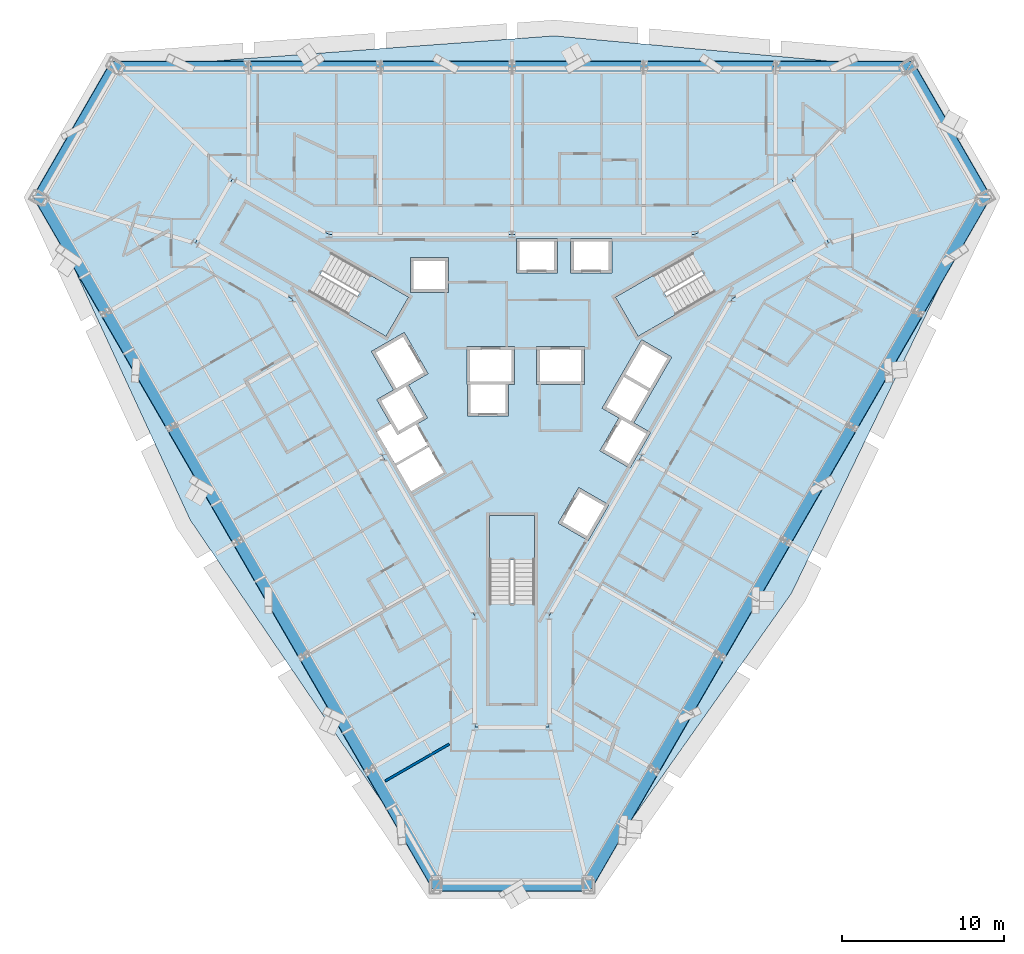
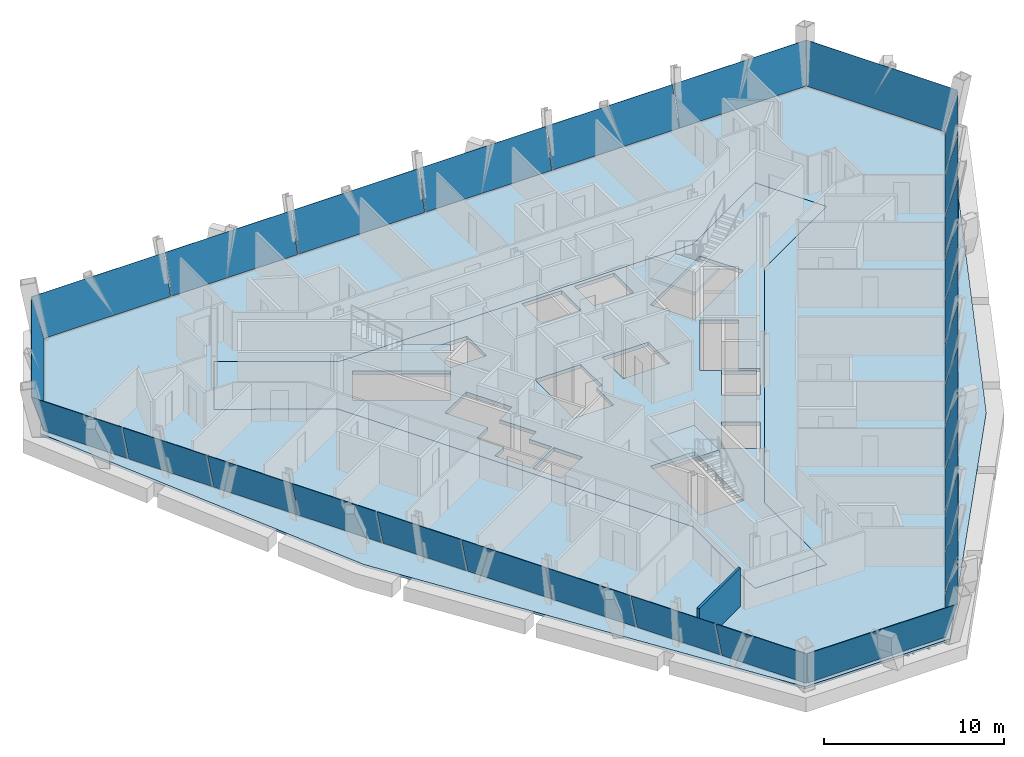
# One storey, part 7 of 14: 30 plates, 5 slabs, 1 wall, 9 elements without a shape of their own.
"""IFC4 building model written with IfcOpenShell, lengths in metres."""

from ifc_helpers import new_model, si_unit, direction, frame, frame_2d, origin, place, context, subcontext, project, spatial, polyline, rectangle, outline, extrude, material, layer, layer_set, type_object, element, aggregate, save


model = new_model("IFC4")

# Units and contexts
model_context = context("Model", 3, precision=1e-05, world=origin(), true_north=direction((0.0, 1.0)))
body_context = subcontext(model_context, "Body", "Model", "MODEL_VIEW")
ifc_project = project(units=[si_unit("LENGTHUNIT", "METRE"), si_unit("AREAUNIT", "SQUARE_METRE"), si_unit("VOLUMEUNIT", "CUBIC_METRE"), si_unit("PLANEANGLEUNIT", "RADIAN"), si_unit("MASSUNIT", "GRAM", prefix="KILO")], contexts=[model_context])

# Site, building, storey
site_placement = place(None, origin())
site = spatial("IfcSite", under=ifc_project, at=site_placement, CompositionType="ELEMENT")
building_placement = place(site_placement, origin())
building = spatial("IfcBuilding", under=site, at=building_placement, Name="Verrane Prism Tower", CompositionType="ELEMENT")
storey_placement = place(building_placement, frame((0.0, 0.0, 128.800048828125)))
storey = spatial("IfcBuildingStorey", under=building, at=storey_placement, Name="L31", CompositionType="ELEMENT", Elevation=128.800048828125)

# Slabs
ifc_material_1 = material(Name="Concrete C35/45", Category="concrete")
ifc_layer_1 = layer(ifc_material_1, 0.159912109375)
ifc_layer_set_1 = layer_set([ifc_layer_1], Name="Composite floor slab")
slab_type_1 = type_object("IfcSlabType", Name="Composite floor slab", PredefinedType="FLOOR", material=ifc_layer_set_1)
slab_1_placement = place(storey_placement, frame((0.0, 0.0, -0.16015625)))
element("IfcSlab", 1, at=slab_1_placement, inside=storey, type_object=slab_type_1, Name="Floor slab L31", PredefinedType="FLOOR", context=body_context, shape_type="SweptSolid", body=[
    extrude(outline(polyline([(17.3056640625, -13.005615234375), (4.64306640625, -30.93798828125), (-4.64306640625, -30.93798828125), (-19.916015625, -8.484375), (-29.11474609375, 11.447998046875), (-24.4716796875, 19.489990234375), (2.6103515625, 21.489990234375), (24.4716796875, 19.489990234375), (29.11474609375, 11.447998046875), (17.3056640625, -13.005615234375)]), holes=[polyline([(19.60009765625, 8.659912109375), (17.300048828125, 12.639892578125), (11.330078125, 9.199951171875), (0.0, 9.199951171875), (-11.330078125, 9.199951171875), (-17.300048828125, 12.639892578125), (-19.60009765625, 8.659912109375), (-13.6298828125, 5.219970703125), (-7.969970703125, -4.60009765625), (-2.300048828125, -14.419921875), (-2.300048828125, -21.300048828125), (2.300048828125, -21.300048828125), (2.300048828125, -14.419921875), (7.969970703125, -4.60009765625), (13.6298828125, 5.219970703125), (19.60009765625, 8.659912109375)])]), origin(), (0.0, 0.0, 1.0), 0.16015625),
])
ifc_material_2 = material(Name="Concrete C40/50", Category="concrete")
ifc_layer_2 = layer(ifc_material_2, 0.25)
ifc_layer_set_2 = layer_set([ifc_layer_2], Name="Core floor slab 250 concrete C40/50")
slab_type_2 = type_object("IfcSlabType", Name="Core floor slab 250 concrete C40/50", PredefinedType="FLOOR", material=ifc_layer_set_2)
slab_2_placement = place(storey_placement, frame((0.0, 0.0, -0.25)))
element("IfcSlab", 2, at=slab_2_placement, inside=storey, type_object=slab_type_2, Name="Core floor L31", PredefinedType="FLOOR", context=body_context, shape_type="SweptSolid", body=[
    extrude(outline(polyline([(13.6298828125, 5.219970703125), (19.60009765625, 8.659912109375), (17.300048828125, 12.639892578125), (11.330078125, 9.199951171875), (0.0, 9.199951171875), (-11.330078125, 9.199951171875), (-17.300048828125, 12.639892578125), (-19.60009765625, 8.659912109375), (-13.6298828125, 5.219970703125), (-7.969970703125, -4.60009765625), (-2.300048828125, -14.419921875), (-2.300048828125, -21.300048828125), (2.300048828125, -21.300048828125), (2.300048828125, -14.419921875), (7.969970703125, -4.60009765625), (13.6298828125, 5.219970703125)]), holes=[polyline([(1.39990234375, -8.199951171875), (1.39990234375, -13.639892578125), (-1.39990234375, -13.639892578125), (-1.39990234375, -8.199951171875), (1.39990234375, -8.199951171875)]), polyline([(-4.23095703125, -5.54296875), (-6.243896484375, -6.705078125), (-7.158935546875, -5.12109375), (-5.14599609375, -3.95703125), (-4.23095703125, -5.54296875)]), polyline([(0.1650390625, 2.25), (0.1650390625, -0.10009765625), (-0.205078125, -0.10009765625), (-0.205078125, -2.050048828125), (-2.7548828125, -2.050048828125), (-2.7548828125, -0.10009765625), (-2.784912109375, -0.10009765625), (-2.784912109375, 2.25), (0.1650390625, 2.25)]), polyline([(-12.512939453125, 5.60791015625), (-11.113037109375, 8.031982421875), (-6.40087890625, 5.31201171875), (-7.801025390625, 2.887939453125), (-12.512939453125, 5.60791015625)]), polyline([(-6.284912109375, 5.610107421875), (-6.284912109375, 7.760009765625), (-3.93505859375, 7.760009765625), (-3.93505859375, 5.610107421875), (-6.284912109375, 5.610107421875)]), polyline([(4.717041015625, -9.75), (2.85498046875, -8.675048828125), (4.1298828125, -6.466064453125), (5.991943359375, -7.541015625), (4.717041015625, -9.75)]), polyline([(8.303955078125, -3.136962890625), (5.575927734375, -1.56201171875), (8.02587890625, 2.680908203125), (9.887939453125, 1.60595703125), (7.5380859375, -2.464111328125), (8.576904296875, -3.06396484375), (7.302001953125, -5.27197265625), (5.43994140625, -4.197021484375), (6.614990234375, -2.162109375), (8.303955078125, -3.136962890625)]), polyline([(1.52490234375, -0.10009765625), (1.52490234375, 2.25), (4.47509765625, 2.25), (4.47509765625, -0.10009765625), (1.52490234375, -0.10009765625)]), polyline([(6.40087890625, 5.31201171875), (11.113037109375, 8.031982421875), (12.512939453125, 5.60791015625), (7.801025390625, 2.887939453125), (6.40087890625, 5.31201171875)]), polyline([(0.264892578125, 6.81005859375), (0.264892578125, 8.9599609375), (2.81494140625, 8.9599609375), (2.81494140625, 6.81005859375), (0.264892578125, 6.81005859375)]), polyline([(3.625, 6.81005859375), (3.625, 8.9599609375), (6.175048828125, 8.9599609375), (6.175048828125, 6.81005859375), (3.625, 6.81005859375)]), polyline([(-5.23095703125, -2.159912109375), (-5.945068359375, -2.572265625), (-5.220947265625, -3.826904296875), (-7.23291015625, -4.990966796875), (-8.368896484375, -3.02392578125), (-7.502685546875, -2.525146484375), (-8.367919921875, -1.02587890625), (-7.3291015625, -0.426025390625), (-8.7041015625, 1.955078125), (-6.66796875, 3.1298828125), (-5.193115234375, 0.574951171875), (-6.406005859375, -0.125), (-5.23095703125, -2.159912109375)])]), origin(), (0.0, 0.0, 1.0), 0.25),
])

# Curtain wall, plates
ifc_material_3 = material(Name="Aluminium framed insulated glazing", Category="aluminium")
curtain_wall_type_1 = type_object("IfcCurtainWallType", Name="Curtain wall CW-C 4200 module", PredefinedType="NOTDEFINED", material=ifc_material_3)
curtain_wall_1_placement = place(storey_placement, origin())
curtain_wall_1 = element("IfcCurtainWall", 3, at=curtain_wall_1_placement, inside=storey, type_object=curtain_wall_type_1, Name="Glazed curtain wall south-east face L31", PredefinedType="NOTDEFINED")
ifc_material_4 = material(Name="Low-iron insulating glass unit", Category="glass")
ifc_layer_3 = layer(ifc_material_4, 0.02392578125)
ifc_layer_set_3 = layer_set([ifc_layer_3], Name="Glazing panel IGU 24")
plate_type_1 = type_object("IfcPlateType", Name="Glazing panel IGU 24", PredefinedType="CURTAIN_PANEL", material=ifc_layer_set_3)
plate_1_placement = place(storey_placement, frame((4.462890625, -30.69189453125, 0.050048828125), z_axis=(-0.835435155907, 0.482307018459, 0.263492011681), x_axis=(0.499976671049, 0.866038872324, 5.547598e-06)))
plate_1 = element("IfcPlate", 4, at=plate_1_placement, type_object=plate_type_1, Name="CW29.6 panel 1", PredefinedType="CURTAIN_PANEL", context=body_context, shape_type="SweptSolid", body=[
    extrude(outline(polyline([(0.0, 0.0), (3.991256753788024, 0.0), (3.9913706706116843, -2.6566021255444077), (-0.4294082353427543, -2.6566505016718382), (0.0, 0.0)])), origin(), (0.0, 0.0, -1.0), 0.02392578125),
])
plate_2_placement = place(storey_placement, frame((6.483642578125, -27.19189453125, 0.050048828125), z_axis=(-0.835406075888, 0.482350697006, 0.26350425702), x_axis=(0.500022371132, 0.86601248742, 0.0)))
plate_2 = element("IfcPlate", 5, at=plate_2_placement, type_object=plate_type_1, Name="CW29.6 panel 2", PredefinedType="CURTAIN_PANEL", context=body_context, shape_type="SweptSolid", body=[
    extrude(outline(polyline([(0.0, 0.0), (4.016421858692838, -5.551115123125783e-17), (4.0163470639077685, -2.6566342906783156), (-7.479478506916548e-05, -2.6566342906783156), (0.0, 0.0)])), origin(), (0.0, 0.0, -1.0), 0.02392578125),
])
plate_3_placement = place(storey_placement, frame((10.550048828125, -20.148681640625, 0.050048828125), z_axis=(-0.835406075888, 0.482350697006, 0.26350425702), x_axis=(0.500022371132, 0.86601248742, 0.0)))
plate_3 = element("IfcPlate", 6, at=plate_3_placement, type_object=plate_type_1, Name="CW29.6 panel 4", PredefinedType="CURTAIN_PANEL", context=body_context, shape_type="SweptSolid", body=[
    extrude(outline(polyline([(0.0, 0.0), (4.016421858692838, -5.551115123125783e-17), (4.0163470639077685, -2.6566342906783156), (-7.479478506916548e-05, -2.6566342906783156), (0.0, 0.0)])), origin(), (0.0, 0.0, -1.0), 0.02392578125),
])
plate_4_placement = place(storey_placement, frame((12.583251953125, -16.627197265625, 0.050048828125), z_axis=(-0.835418463457, 0.482340921593, 0.263482876619), x_axis=(0.50000829695, 0.866020613477, -3.862374e-06)))
plate_4 = element("IfcPlate", 7, at=plate_4_placement, type_object=plate_type_1, Name="CW29.6 panel 5", PredefinedType="CURTAIN_PANEL", context=body_context, shape_type="SweptSolid", body=[
    extrude(outline(polyline([(0.0, 0.0), (4.016633288946316, 1.6653345369377348e-16), (4.016537219184474, -2.6566342893416737), (0.00011536105199417151, -2.656602126158638), (0.0, 0.0)])), origin(), (0.0, 0.0, -1.0), 0.02392578125),
])
plate_5_placement = place(storey_placement, frame((14.616455078125, -13.10546875, 0.050048828125), z_axis=(-0.835418463457, 0.482340921593, 0.263482876619), x_axis=(0.500010124208, 0.866019558482, 3.862578e-06)))
plate_5 = element("IfcPlate", 8, at=plate_5_placement, type_object=plate_type_1, Name="CW29.6 panel 6", PredefinedType="CURTAIN_PANEL", context=body_context, shape_type="SweptSolid", body=[
    extrude(outline(polyline([(0.0, 0.0), (4.01642185826126, -5.551115123125783e-17), (4.016558493169297, -2.6566021251496568), (-7.479564823267537e-05, -2.656634290025812), (0.0, 0.0)])), origin(), (0.0, 0.0, -1.0), 0.02392578125),
])
plate_6_placement = place(storey_placement, frame((16.649658203125, -9.583740234375, 0.050048828125), z_axis=(-0.835406075888, 0.482350697006, 0.26350425702), x_axis=(0.500022371132, 0.86601248742, 0.0)))
plate_6 = element("IfcPlate", 9, at=plate_6_placement, type_object=plate_type_1, Name="CW29.6 panel 7", PredefinedType="CURTAIN_PANEL", context=body_context, shape_type="SweptSolid", body=[
    extrude(outline(polyline([(0.0, 0.0), (4.016421858692838, -5.551115123125783e-17), (4.0163470639077685, -2.6566342906783156), (-7.479478506916548e-05, -2.6566342906783156), (0.0, 0.0)])), origin(), (0.0, 0.0, -1.0), 0.02392578125),
])
plate_7_placement = place(storey_placement, frame((18.682861328125, -6.062255859375, 0.050048828125), z_axis=(-0.835416190587, 0.482356537079, 0.263461495557), x_axis=(0.500022371132, 0.86601248742, 0.0)))
plate_7 = element("IfcPlate", 10, at=plate_7_placement, type_object=plate_type_1, Name="CW29.6 panel 8", PredefinedType="CURTAIN_PANEL", context=body_context, shape_type="SweptSolid", body=[
    extrude(outline(polyline([(0.0, 0.0), (4.016421858692838, 5.551115123125783e-17), (4.016558492737705, -2.656602125802188), (0.00013663404486731893, -2.656602125802188), (0.0, 0.0)])), origin(), (0.0, 0.0, -1.0), 0.02392578125),
])
plate_8_placement = place(storey_placement, frame((20.716064453125, -2.54052734375, 0.050048828125), z_axis=(-0.835406075888, 0.482350697006, 0.26350425702), x_axis=(0.500022371132, 0.86601248742, 0.0)))
plate_8 = element("IfcPlate", 11, at=plate_8_placement, type_object=plate_type_1, Name="CW29.6 panel 9", PredefinedType="CURTAIN_PANEL", context=body_context, shape_type="SweptSolid", body=[
    extrude(outline(polyline([(0.0, 0.0), (4.016421858692838, -5.551115123125783e-17), (4.0163470639077685, -2.6566342906783156), (-7.479478506916548e-05, -2.6566342906783156), (0.0, 0.0)])), origin(), (0.0, 0.0, -1.0), 0.02392578125),
])
plate_9_placement = place(storey_placement, frame((24.782470703125, 4.502685546875, 0.050048828125), z_axis=(-0.835418463457, 0.482340921593, 0.263482876619), x_axis=(0.500010124208, 0.866019558482, 3.862578e-06)))
plate_9 = element("IfcPlate", 12, at=plate_9_placement, type_object=plate_type_1, Name="CW29.6 panel 11", PredefinedType="CURTAIN_PANEL", context=body_context, shape_type="SweptSolid", body=[
    extrude(outline(polyline([(0.0, 0.0), (4.01642185826126, -5.551115123125783e-17), (4.016558493169297, -2.6566021251496568), (-7.479564823267537e-05, -2.656634290025812), (0.0, 0.0)])), origin(), (0.0, 0.0, -1.0), 0.02392578125),
])
plate_10_placement = place(storey_placement, frame((26.815673828125, 8.0244140625, 0.050048828125), z_axis=(-0.835414441598, 0.482334877561, 0.263506691866), x_axis=(0.500006213406, 0.866021816443, -4.37298e-07)))
plate_10 = element("IfcPlate", 13, at=plate_10_placement, type_object=plate_type_1, Name="CW29.6 panel 12", PredefinedType="CURTAIN_PANEL", context=body_context, shape_type="SweptSolid", body=[
    extrude(outline(polyline([(0.0, 0.0), (4.041464889865248, 1.1102230246251565e-16), (4.445643596475714, -2.6566381376397867), (-8.897636790422833e-05, -2.65663429023273), (0.0, 0.0)])), origin(), (0.0, 0.0, -1.0), 0.02392578125),
])

ifc_material_5 = material(Name="Aluminium framed insulated glazing", Category="aluminium")
curtain_wall_type_2 = type_object("IfcCurtainWallType", Name="Curtain wall CW-B 5600 module", PredefinedType="NOTDEFINED", material=ifc_material_5)
curtain_wall_2_placement = place(storey_placement, origin())
curtain_wall_2 = element("IfcCurtainWall", 14, at=curtain_wall_2_placement, inside=storey, type_object=curtain_wall_type_2, Name="Glazed curtain wall south-west face L31", PredefinedType="NOTDEFINED")
ifc_material_6 = material(Name="Low-iron insulating glass unit", Category="glass")
ifc_layer_4 = layer(ifc_material_6, 0.028076171875)
ifc_layer_set_4 = layer_set([ifc_layer_4], Name="Glazing panel IGU 28")
plate_type_2 = type_object("IfcPlateType", Name="Glazing panel IGU 28", PredefinedType="CURTAIN_PANEL", material=ifc_layer_set_4)
plate_11_placement = place(storey_placement, frame((-28.806396484375, 11.472412109375, 0.06005859375), z_axis=(0.835203094765, 0.48218085597, 0.264456825648), x_axis=(0.499980321737, -0.866036764724, 4.675544e-06)))
plate_11 = element("IfcPlate", 15, at=plate_11_placement, type_object=plate_type_2, Name="CW29.4 panel 1", PredefinedType="CURTAIN_PANEL", context=body_context, shape_type="SweptSolid", body=[
    extrude(outline(polyline([(0.0, 0.0), (5.331910278574031, -1.1102230246251565e-16), (5.331819563843139, -2.6469473200970564), (-0.4343385428610563, -2.6470011251966854), (0.0, 0.0)])), origin(), (0.0, 0.0, -1.0), 0.028076171875),
])
plate_12_placement = place(storey_placement, frame((-26.110595703125, 6.802734375, 0.06005859375), z_axis=(0.835204755703, 0.482196815056, 0.264422479379), x_axis=(0.499993097703, -0.866029388791, 0.0)))
plate_12 = element("IfcPlate", 16, at=plate_12_placement, type_object=plate_type_2, Name="CW29.4 panel 2", PredefinedType="CURTAIN_PANEL", context=body_context, shape_type="SweptSolid", body=[
    extrude(outline(polyline([(0.0, 0.0), (5.36189042497011, 0.0), (5.361777449516148, -2.6469473209191348), (-0.00011297545396134617, -2.6469473209191348), (0.0, 0.0)])), origin(), (0.0, 0.0, -1.0), 0.028076171875),
])
plate_13_placement = place(storey_placement, frame((-23.399658203125, 2.107177734375, 0.06005859375), z_axis=(0.835194174199, 0.482203382154, 0.264443925292), x_axis=(0.500003645273, -0.86602329917, -2.903174e-06)))
plate_13 = element("IfcPlate", 17, at=plate_13_placement, type_object=plate_type_2, Name="CW29.4 panel 3", PredefinedType="CURTAIN_PANEL", context=body_context, shape_type="SweptSolid", body=[
    extrude(outline(polyline([(0.0, 0.0), (5.361678993080313, 2.220446049250313e-16), (5.361761513638435, -2.6469796011164393), (-0.00012891091140041064, -2.646947319536525), (0.0, 0.0)])), origin(), (0.0, 0.0, -1.0), 0.028076171875),
])
plate_14_placement = place(storey_placement, frame((-20.688720703125, -2.588134765625, 0.06005859375), z_axis=(0.835175555749, 0.482223867152, 0.264465372076), x_axis=(0.500027246275, -0.866009672569, 0.0)))
plate_14 = element("IfcPlate", 18, at=plate_14_placement, type_object=plate_type_2, Name="CW29.4 panel 4", PredefinedType="CURTAIN_PANEL", context=body_context, shape_type="SweptSolid", body=[
    extrude(outline(polyline([(0.0, 0.0), (5.362012497766053, 0.0), (5.362083351760883, -2.6469796021089245), (7.085399483058863e-05, -2.6469796021089245), (0.0, 0.0)])), origin(), (0.0, 0.0, -1.0), 0.028076171875),
])
plate_15_placement = place(storey_placement, frame((-17.977783203125, -7.28369140625, 0.06005859375), z_axis=(0.835175555749, 0.482223867152, 0.264465372076), x_axis=(0.500027246275, -0.866009672569, 0.0)))
plate_15 = element("IfcPlate", 19, at=plate_15_placement, type_object=plate_type_2, Name="CW29.4 panel 5", PredefinedType="CURTAIN_PANEL", context=body_context, shape_type="SweptSolid", body=[
    extrude(outline(polyline([(0.0, 0.0), (5.362012497766053, 0.0), (5.362083351760883, -2.6469796021089245), (7.085399483058863e-05, -2.6469796021089245), (0.0, 0.0)])), origin(), (0.0, 0.0, -1.0), 0.028076171875),
])
plate_16_placement = place(storey_placement, frame((-15.2666015625, -11.979248046875, 0.06005859375), z_axis=(0.835176241096, 0.482202307655, 0.264502515679), x_axis=(0.500008977716, -0.866020220421, 5.029213e-06)))
plate_16 = element("IfcPlate", 20, at=plate_16_placement, type_object=plate_type_2, Name="CW29.4 panel 6", PredefinedType="CURTAIN_PANEL", context=body_context, shape_type="SweptSolid", body=[
    extrude(outline(polyline([(0.0, 0.0), (5.361890424000876, 0.0), (5.361988883441648, -2.6469795992626954), (-2.361306355392094e-05, -2.6470355238115304), (0.0, 0.0)])), origin(), (0.0, 0.0, -1.0), 0.028076171875),
])
plate_17_placement = place(storey_placement, frame((-12.5556640625, -16.6748046875, 0.06005859375), z_axis=(0.835204755703, 0.482196815056, 0.264422479379), x_axis=(0.499993097703, -0.866029388791, 0.0)))
plate_17 = element("IfcPlate", 21, at=plate_17_placement, type_object=plate_type_2, Name="CW29.4 panel 7", PredefinedType="CURTAIN_PANEL", context=body_context, shape_type="SweptSolid", body=[
    extrude(outline(polyline([(0.0, 0.0), (5.36189042497011, 0.0), (5.361777449516148, -2.6469473209191348), (-0.00011297545396134617, -2.6469473209191348), (0.0, 0.0)])), origin(), (0.0, 0.0, -1.0), 0.028076171875),
])
plate_18_placement = place(storey_placement, frame((-9.8447265625, -21.370361328125, 0.06005859375), z_axis=(0.835204755703, 0.482196815056, 0.264422479379), x_axis=(0.499993097703, -0.866029388791, 0.0)))
plate_18 = element("IfcPlate", 22, at=plate_18_placement, type_object=plate_type_2, Name="CW29.4 panel 8", PredefinedType="CURTAIN_PANEL", context=body_context, shape_type="SweptSolid", body=[
    extrude(outline(polyline([(0.0, 0.0), (5.36189042497011, 0.0), (5.361777449516148, -2.6469473209191348), (-0.00011297545396134617, -2.6469473209191348), (0.0, 0.0)])), origin(), (0.0, 0.0, -1.0), 0.028076171875),
])
plate_19_placement = place(storey_placement, frame((-7.1337890625, -26.065673828125, 0.06005859375), z_axis=(0.835208527017, 0.482189401823, 0.264424085832), x_axis=(0.499984319705, -0.8660344566, 5.556959e-06)))
plate_19 = element("IfcPlate", 23, at=plate_19_placement, type_object=plate_type_2, Name="CW29.4 panel 9", PredefinedType="CURTAIN_PANEL", context=body_context, shape_type="SweptSolid", body=[
    extrude(outline(polyline([(0.0, 0.0), (5.3919599388594985, 0.0), (5.796469426237041, -2.646915130320862), (0.00011973840301289027, -2.6469795979235853), (0.0, 0.0)])), origin(), (0.0, 0.0, -1.0), 0.028076171875),
])
aggregate(curtain_wall_2, [plate_11, plate_12, plate_13, plate_14, plate_15, plate_16, plate_17, plate_18, plate_19])

# Curtain wall, plate
ifc_material_7 = material(Name="Aluminium framed insulated glazing", Category="aluminium")
curtain_wall_type_3 = type_object("IfcCurtainWallType", Name="Curtain wall CW-A 8400 module", PredefinedType="NOTDEFINED", material=ifc_material_7)
curtain_wall_3_placement = place(storey_placement, origin())
curtain_wall_3 = element("IfcCurtainWall", 24, at=curtain_wall_3_placement, inside=storey, type_object=curtain_wall_type_3, Name="Glazed curtain wall north-east corner L31", PredefinedType="NOTDEFINED")
ifc_material_8 = material(Name="Low-iron insulating glass unit", Category="glass")
ifc_layer_5 = layer(ifc_material_8, 0.031982421875)
ifc_layer_set_5 = layer_set([ifc_layer_5], Name="Glazing panel IGU 32")
plate_type_3 = type_object("IfcPlateType", Name="Glazing panel IGU 32", PredefinedType="CURTAIN_PANEL", material=ifc_layer_set_5)
plate_20_placement = place(storey_placement, frame((28.801513671875, 11.5849609375, 0.070068359375), z_axis=(-0.83494516287, -0.482062149501, 0.265485703981), x_axis=(-0.500004415087, 0.866022854715, 2.151041e-06)))
plate_20 = element("IfcPlate", 25, at=plate_20_placement, type_object=plate_type_3, Name="CW29.1 panel 1", PredefinedType="CURTAIN_PANEL", context=body_context, shape_type="SweptSolid", body=[
    extrude(outline(polyline([(0.0, 0.0), (8.805705447158111, 0.0), (9.209734406185737, -2.6373465150491597), (-0.4389681016299377, -2.637387688767615), (0.0, 0.0)])), origin(), (0.0, 0.0, -1.0), 0.031982421875),
])
aggregate(curtain_wall_3, [plate_20])

# Curtain wall, plates
curtain_wall_4_placement = place(storey_placement, origin())
curtain_wall_4 = element("IfcCurtainWall", 26, at=curtain_wall_4_placement, inside=storey, type_object=curtain_wall_type_3, Name="Glazed curtain wall north face L31", PredefinedType="NOTDEFINED")
plate_21_placement = place(storey_placement, frame((24.32861328125, 19.2109375, 0.070068359375), z_axis=(0.0, -0.964137317144, 0.265403906697), x_axis=(-1.0, 0.0, 0.0)))
plate_21 = element("IfcPlate", 27, at=plate_21_placement, type_object=plate_type_3, Name="CW29.2 panel 1", PredefinedType="CURTAIN_PANEL", context=body_context, shape_type="SweptSolid", body=[
    extrude(outline(polyline([(0.0, 0.0), (8.02783203125, 0.0), (8.02783203125, -2.6373054586320546), (-0.439453125, -2.6373054586320546), (0.0, 0.0)])), origin(), (0.0, 0.0, -1.0), 0.031982421875),
])
plate_22_placement = place(storey_placement, frame((16.230712890625, 19.2109375, 0.070068359375), z_axis=(0.0, -0.964137317144, 0.265403906697), x_axis=(-1.0, 0.0, 0.0)))
plate_22 = element("IfcPlate", 28, at=plate_22_placement, type_object=plate_type_3, Name="CW29.2 panel 2", PredefinedType="CURTAIN_PANEL", context=body_context, shape_type="SweptSolid", body=[
    extrude(outline(polyline([(0.0, 0.0), (8.062744140625, 0.0), (8.062744140625, -2.637305458632055), (0.0, -2.637305458632055), (0.0, 0.0)])), origin(), (0.0, 0.0, -1.0), 0.031982421875),
])
plate_23_placement = place(storey_placement, frame((8.097900390625, 19.2109375, 0.070068359375), z_axis=(0.0, -0.964137317144, 0.265403906697), x_axis=(-1.0, 0.0, 0.0)))
plate_23 = element("IfcPlate", 29, at=plate_23_placement, type_object=plate_type_3, Name="CW29.2 panel 3", PredefinedType="CURTAIN_PANEL", context=body_context, shape_type="SweptSolid", body=[
    extrude(outline(polyline([(0.0, 0.0), (8.06298828125, 0.0), (8.06298828125, -2.637305458632055), (0.0, -2.637305458632055), (0.0, 0.0)])), origin(), (0.0, 0.0, -1.0), 0.031982421875),
])
plate_24_placement = place(storey_placement, frame((-0.034912109375, 19.2109375, 0.070068359375), z_axis=(0.0, -0.964137317144, 0.265403906697), x_axis=(-1.0, 0.0, 0.0)))
plate_24 = element("IfcPlate", 30, at=plate_24_placement, type_object=plate_type_3, Name="CW29.2 panel 4", PredefinedType="CURTAIN_PANEL", context=body_context, shape_type="SweptSolid", body=[
    extrude(outline(polyline([(0.0, 0.0), (8.06298828125, 0.0), (8.06298828125, -2.637305458632055), (0.0, -2.637305458632055), (0.0, 0.0)])), origin(), (0.0, 0.0, -1.0), 0.031982421875),
])
plate_25_placement = place(storey_placement, frame((-8.16796875, 19.2109375, 0.070068359375), z_axis=(0.0, -0.964137317144, 0.265403906697), x_axis=(-1.0, 0.0, 0.0)))
plate_25 = element("IfcPlate", 31, at=plate_25_placement, type_object=plate_type_3, Name="CW29.2 panel 5", PredefinedType="CURTAIN_PANEL", context=body_context, shape_type="SweptSolid", body=[
    extrude(outline(polyline([(0.0, 0.0), (8.062744140625, 0.0), (8.062744140625, -2.637305458632055), (0.0, -2.637305458632055), (0.0, 0.0)])), origin(), (0.0, 0.0, -1.0), 0.031982421875),
])
plate_26_placement = place(storey_placement, frame((-16.30078125, 19.2109375, 0.070068359375), z_axis=(0.0, -0.964137317144, 0.265403906697), x_axis=(-1.0, 0.0, 0.0)))
plate_26 = element("IfcPlate", 32, at=plate_26_placement, type_object=plate_type_3, Name="CW29.2 panel 6", PredefinedType="CURTAIN_PANEL", context=body_context, shape_type="SweptSolid", body=[
    extrude(outline(polyline([(0.0, 0.0), (8.097900390625, 0.0), (8.502197265625, -2.6373054586320546), (0.0, -2.6373054586320546), (0.0, 0.0)])), origin(), (0.0, 0.0, -1.0), 0.031982421875),
])
aggregate(curtain_wall_4, [plate_21, plate_22, plate_23, plate_24, plate_25, plate_26])

# Curtain wall, plate
curtain_wall_5_placement = place(storey_placement, origin())
curtain_wall_5 = element("IfcCurtainWall", 33, at=curtain_wall_5_placement, inside=storey, type_object=curtain_wall_type_3, Name="Glazed curtain wall north-west corner L31", PredefinedType="NOTDEFINED")
plate_27_placement = place(storey_placement, frame((-24.43359375, 19.150390625, 0.070068359375), z_axis=(0.834942964154, -0.482053516188, 0.265508293921), x_axis=(-0.499999090349, -0.866025928971, -4.57991e-07)))
plate_27 = element("IfcPlate", 34, at=plate_27_placement, type_object=plate_type_3, Name="CW29.3 panel 1", PredefinedType="CURTAIN_PANEL", context=body_context, shape_type="SweptSolid", body=[
    extrude(outline(polyline([(0.0, 0.0), (8.805705447434045, -2.220446049250313e-16), (9.210000422351323, -2.6373884554017124), (-0.4389135169247094, -2.637379688707911), (0.0, 0.0)])), origin(), (0.0, 0.0, -1.0), 0.031982421875),
])
aggregate(curtain_wall_5, [plate_27])

curtain_wall_6_placement = place(storey_placement, origin())
curtain_wall_6 = element("IfcCurtainWall", 35, at=curtain_wall_6_placement, inside=storey, type_object=curtain_wall_type_3, Name="Glazed curtain wall south corner L31", PredefinedType="NOTDEFINED")
plate_28_placement = place(storey_placement, frame((-4.367919921875, -30.7353515625, 0.070068359375), z_axis=(0.0, 0.964113626027, 0.265489954819), x_axis=(1.0, 0.0, 0.0)))
plate_28 = element("IfcPlate", 36, at=plate_28_placement, type_object=plate_type_3, Name="CW29.5 panel 1", PredefinedType="CURTAIN_PANEL", context=body_context, shape_type="SweptSolid", body=[
    extrude(outline(polyline([(0.0, 0.0), (8.805908203125, 0.0), (9.209716796875, -2.637370265011763), (-0.43896484375, -2.637370265011763), (0.0, 0.0)])), origin(), (0.0, 0.0, -1.0), 0.031982421875),
])
aggregate(curtain_wall_6, [plate_28])

# Stair, slab
ifc_material_9 = material(Name="Concrete C40/50", Category="concrete")
stair_type = type_object("IfcStairType", Name="Exit stair 1300 dog-leg precast concrete C40/50", PredefinedType="HALF_TURN_STAIR", material=ifc_material_9)
stair_1_placement = place(storey_placement, origin())
stair_1 = element("IfcStair", 37, at=stair_1_placement, inside=storey, type_object=stair_type, Name="Stair 1 L31", PredefinedType="HALF_TURN_STAIR")
ifc_material_10 = material(Name="Concrete C40/50", Category="concrete")
ifc_layer_6 = layer(ifc_material_10, 0.199951171875)
ifc_layer_set_6 = layer_set([ifc_layer_6], Name="Stair landing 200 precast concrete C40/50")
slab_type_3 = type_object("IfcSlabType", Name="Stair landing 200 precast concrete C40/50", PredefinedType="LANDING", material=ifc_layer_set_6)
slab_3_placement = place(storey_placement, frame((0.0, 0.0, 1.599853515625)))
slab_3 = element("IfcSlab", 38, at=slab_3_placement, type_object=slab_type_3, Name="Stair 1 landing 1", PredefinedType="LANDING", context=body_context, shape_type="SweptSolid", body=[
    extrude(outline(polyline([(8.791748046875, 6.6923828125), (6.4013671875, 5.3125), (7.801513671875, 2.887451171875), (10.191650390625, 4.267578125), (8.791748046875, 6.6923828125)])), origin(), (0.0, 0.0, 1.0), 0.2001953125),
])
aggregate(stair_1, [slab_3])

stair_2_placement = place(storey_placement, origin())
stair_2 = element("IfcStair", 39, at=stair_2_placement, inside=storey, type_object=stair_type, Name="Stair 2 L31", PredefinedType="HALF_TURN_STAIR")
slab_4_placement = place(storey_placement, frame((0.0, 0.0, 1.599853515625)))
slab_4 = element("IfcSlab", 40, at=slab_4_placement, type_object=slab_type_3, Name="Stair 2 landing 1", PredefinedType="LANDING", context=body_context, shape_type="SweptSolid", body=[
    extrude(outline(polyline([(-10.191650390625, 4.267578125), (-7.801513671875, 2.887451171875), (-6.4013671875, 5.3125), (-8.791748046875, 6.6923828125), (-10.191650390625, 4.267578125)])), origin(), (0.0, 0.0, 1.0), 0.2001953125),
])
aggregate(stair_2, [slab_4])

stair_3_placement = place(storey_placement, origin())
stair_3 = element("IfcStair", 41, at=stair_3_placement, inside=storey, type_object=stair_type, Name="Stair 3 L31", PredefinedType="HALF_TURN_STAIR")
slab_5_placement = place(storey_placement, frame((0.0, 0.0, 1.599853515625)))
slab_5 = element("IfcSlab", 42, at=slab_5_placement, type_object=slab_type_3, Name="Stair 3 landing 1", PredefinedType="LANDING", context=body_context, shape_type="SweptSolid", body=[
    extrude(outline(polyline([(1.39990234375, -10.9599609375), (1.39990234375, -8.199951171875), (-1.39990234375, -8.199951171875), (-1.39990234375, -10.9599609375), (1.39990234375, -10.9599609375)])), origin(), (0.0, 0.0, 1.0), 0.2001953125),
])
aggregate(stair_3, [slab_5])

# Plate
ifc_material_11 = material(Name="Warm limestone cladding", Category="masonry")
ifc_layer_7 = layer(ifc_material_11, 0.028076171875)
ifc_layer_set_7 = layer_set([ifc_layer_7], Name="Stone-faced spandrel panel 28")
plate_type_4 = type_object("IfcPlateType", Name="Stone-faced spandrel panel 28", PredefinedType="CURTAIN_PANEL", material=ifc_layer_set_7)
plate_29_placement = place(storey_placement, frame((8.516845703125, -23.67041015625, 0.050048828125), z_axis=(-0.835416190587, 0.482356537079, 0.263461495557), x_axis=(0.500022371132, 0.86601248742, 0.0)))
plate_29 = element("IfcPlate", 43, at=plate_29_placement, type_object=plate_type_4, Name="CW29.6 panel 3", PredefinedType="CURTAIN_PANEL", context=body_context, shape_type="SweptSolid", body=[
    extrude(outline(polyline([(0.0, 0.0), (4.016421858692838, 5.551115123125783e-17), (4.016558492737705, -2.656602125802188), (0.00013663404486731893, -2.656602125802188), (0.0, 0.0)])), origin(), (0.0, 0.0, -1.0), 0.028076171875),
])

plate_30_placement = place(storey_placement, frame((22.749267578125, 0.98095703125, 0.050048828125), z_axis=(-0.835418463457, 0.482340921593, 0.263482876619), x_axis=(0.50000829695, 0.866020613477, -3.862374e-06)))
plate_30 = element("IfcPlate", 44, at=plate_30_placement, type_object=plate_type_4, Name="CW29.6 panel 10", PredefinedType="CURTAIN_PANEL", context=body_context, shape_type="SweptSolid", body=[
    extrude(outline(polyline([(0.0, 0.0), (4.016633288946316, 1.6653345369377348e-16), (4.016537219184474, -2.6566342893416737), (0.00011536105199417151, -2.656602126158638), (0.0, 0.0)])), origin(), (0.0, 0.0, -1.0), 0.028076171875),
])

aggregate(curtain_wall_1, [plate_1, plate_2, plate_29, plate_3, plate_4, plate_5, plate_6, plate_7, plate_8, plate_30, plate_9, plate_10])

# Wall
ifc_material_12 = material(Name="Gypsum board partition", Category="other")
ifc_layer_8 = layer(ifc_material_12, 0.14990234375)
ifc_layer_set_8 = layer_set([ifc_layer_8], Name="PW-150 demising wall 1 h")
wall_type = type_object("IfcWallType", Name="PW-150 demising wall 1 h", PredefinedType="PARTITIONING", material=ifc_layer_set_8)
wall_placement = place(storey_placement, frame((-7.847900390625, -24.63623046875, 0.0), z_axis=(0.0, 0.0, 1.0), x_axis=(0.866046917185, 0.499962735845, 0.0)))
element("IfcWall", 45, at=wall_placement, inside=storey, type_object=wall_type, Name="Demising wall 036", PredefinedType="PARTITIONING", context=body_context, shape_type="SweptSolid", body=[
    extrude(rectangle(XDim=4.573486328125, YDim=0.14990234375, at=frame_2d((2.28662109375, 0.0))), origin(), (0.0, 0.0, 1.0), 2.613037109375),
])

save(model, "model.ifc")
